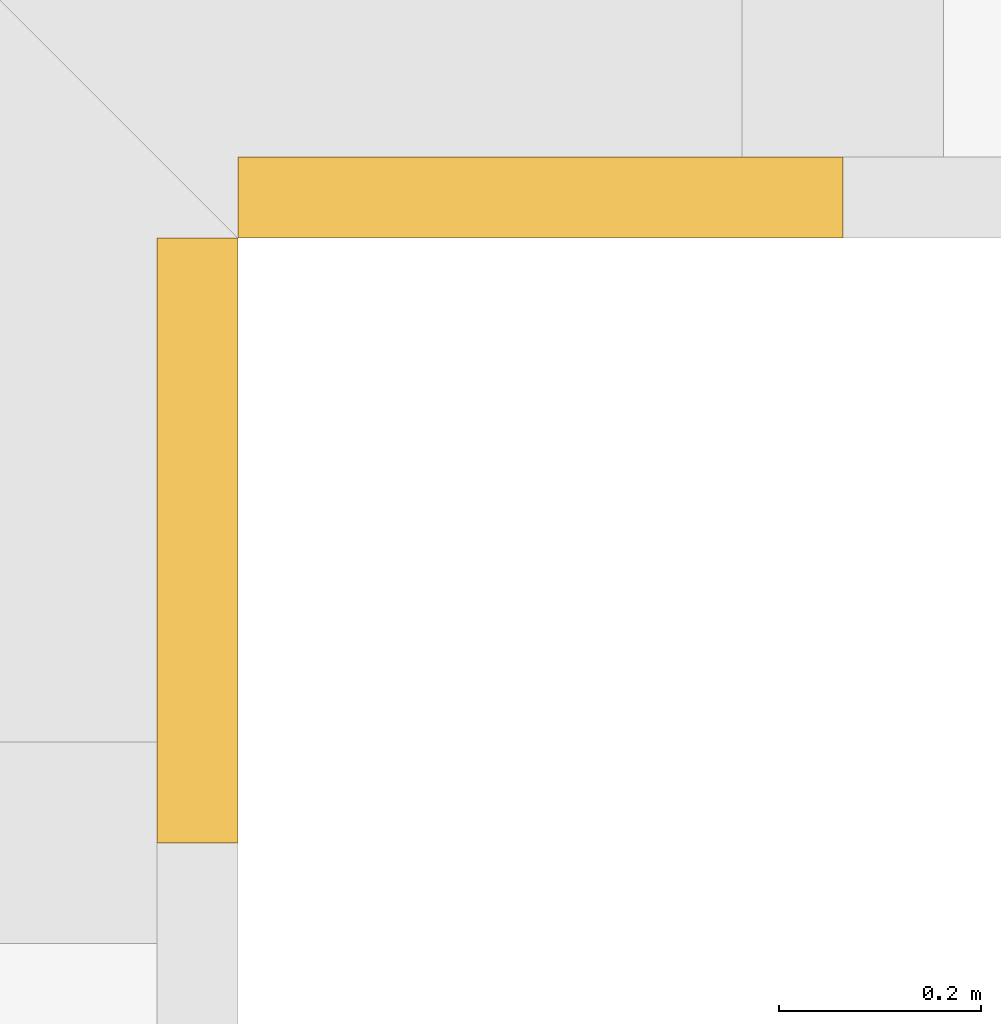
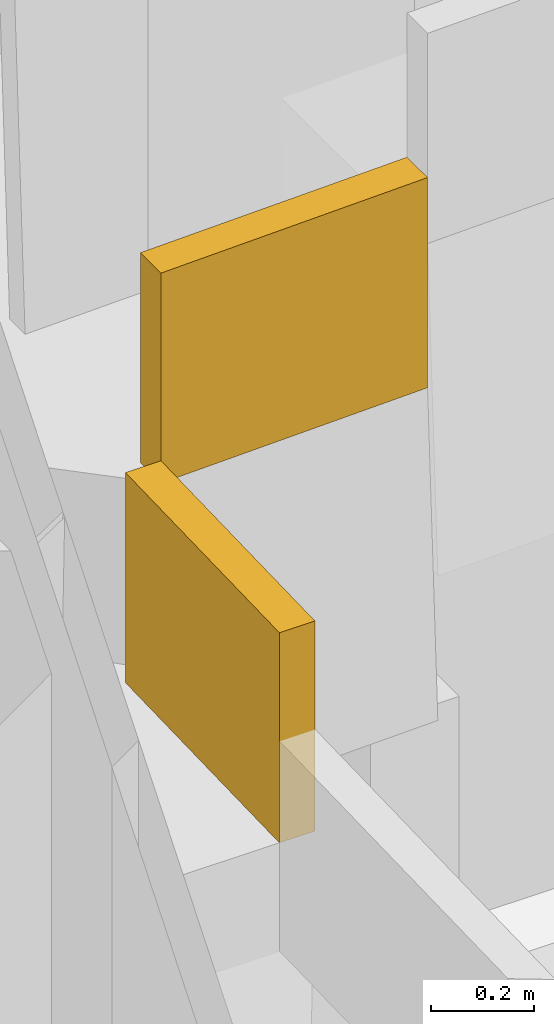
# One storey, part 30 of 30: 2 coverings.
"""IFC4 building model written with IfcOpenShell, lengths in metres."""

from ifc_helpers import new_model, si_unit, direction, frame, origin, place, context, subcontext, project, spatial, polyline, outline, extrude, material, layer, layer_set, type_object, element, save


model = new_model("IFC4")

# Units and contexts
model_context = context("Model", 3, precision=1e-05, world=origin(), true_north=direction((0.0, 1.0)))
body_context = subcontext(model_context, "Body", "Model", "MODEL_VIEW")
ifc_project = project(units=[si_unit("LENGTHUNIT", "METRE"), si_unit("AREAUNIT", "SQUARE_METRE"), si_unit("VOLUMEUNIT", "CUBIC_METRE"), si_unit("PLANEANGLEUNIT", "RADIAN"), si_unit("MASSUNIT", "GRAM", prefix="KILO")], contexts=[model_context])

# Site, building, storey
site_placement = place(None, origin())
site = spatial("IfcSite", under=ifc_project, at=site_placement, CompositionType="ELEMENT")
building_placement = place(site_placement, origin())
building = spatial("IfcBuilding", under=site, at=building_placement, Name="Saffron Gate Tower", CompositionType="ELEMENT")
storey_placement = place(building_placement, frame((0.0, 0.0, 237.89990234375)))
storey = spatial("IfcBuildingStorey", under=building, at=storey_placement, Name="L58", CompositionType="ELEMENT", Elevation=237.89990234375)

# Coverings
ifc_material = material(Name="Timber, thermally modified ash", Category="wood")
ifc_layer = layer(ifc_material, 0.080078125)
ifc_layer_set = layer_set([ifc_layer], Name="LD2 ledge planter trough")
covering_type = type_object("IfcCoveringType", Name="LD2 ledge planter trough", PredefinedType="CLADDING", material=ifc_layer_set)
for number, where, z_axis, x_axis, name in (
    (1, (124.800048828125, 31.800048828125, 2.39501953125), (1.0, 0.0, 0.0), (0.0, 0.999582742162, 0.028884971385), "LEDGE planter trough"),
    (2, (124.800048828125, 32.39990234375, 2.85888671875), (0.0, -1.0, 0.0), (0.999582742162, 0.0, 0.028884971385), "LEDGE planter trough"),
):
    element("IfcCovering", number, at=place(storey_placement, frame(where, z_axis=z_axis, x_axis=x_axis)), inside=storey, type_object=covering_type, Name=name, PredefinedType="CLADDING", context=body_context, shape_type="SweptSolid", body=[
        extrude(outline(polyline([(0.0, 0.0), (0.6001039136866089, 0.0), (0.614546399379222, 0.4997913710809928), (0.014442485692613144, 0.49979137108099286), (0.0, 0.0)])), origin(), (0.0, 0.0, -1.0), 0.080078125),
    ])

save(model, "model.ifc")
